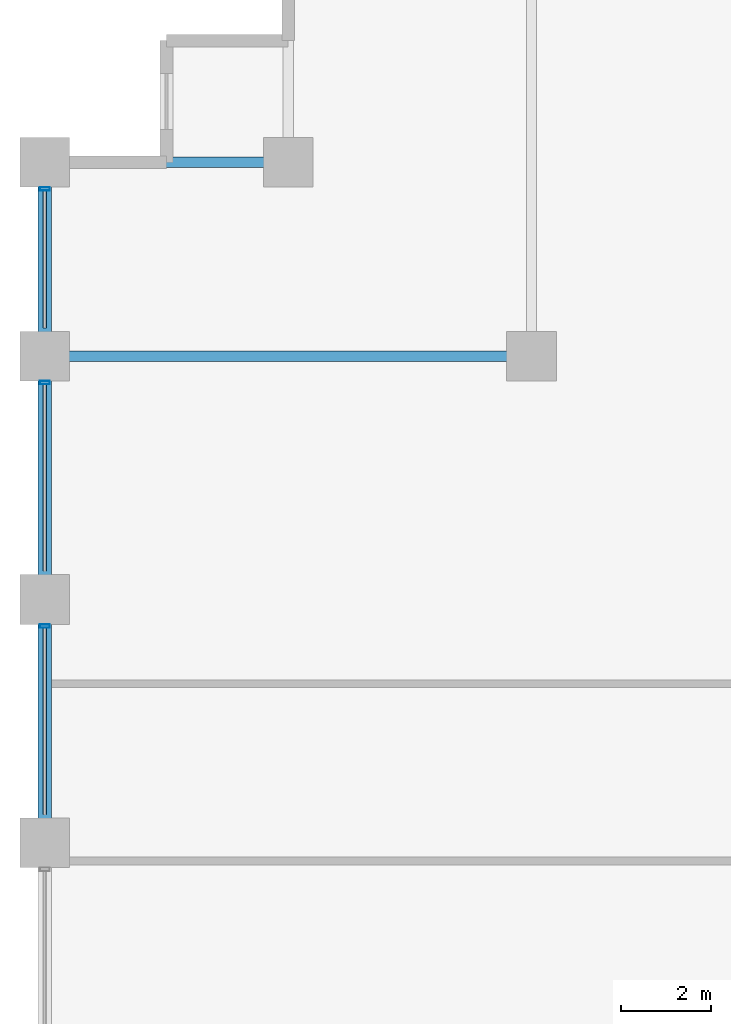
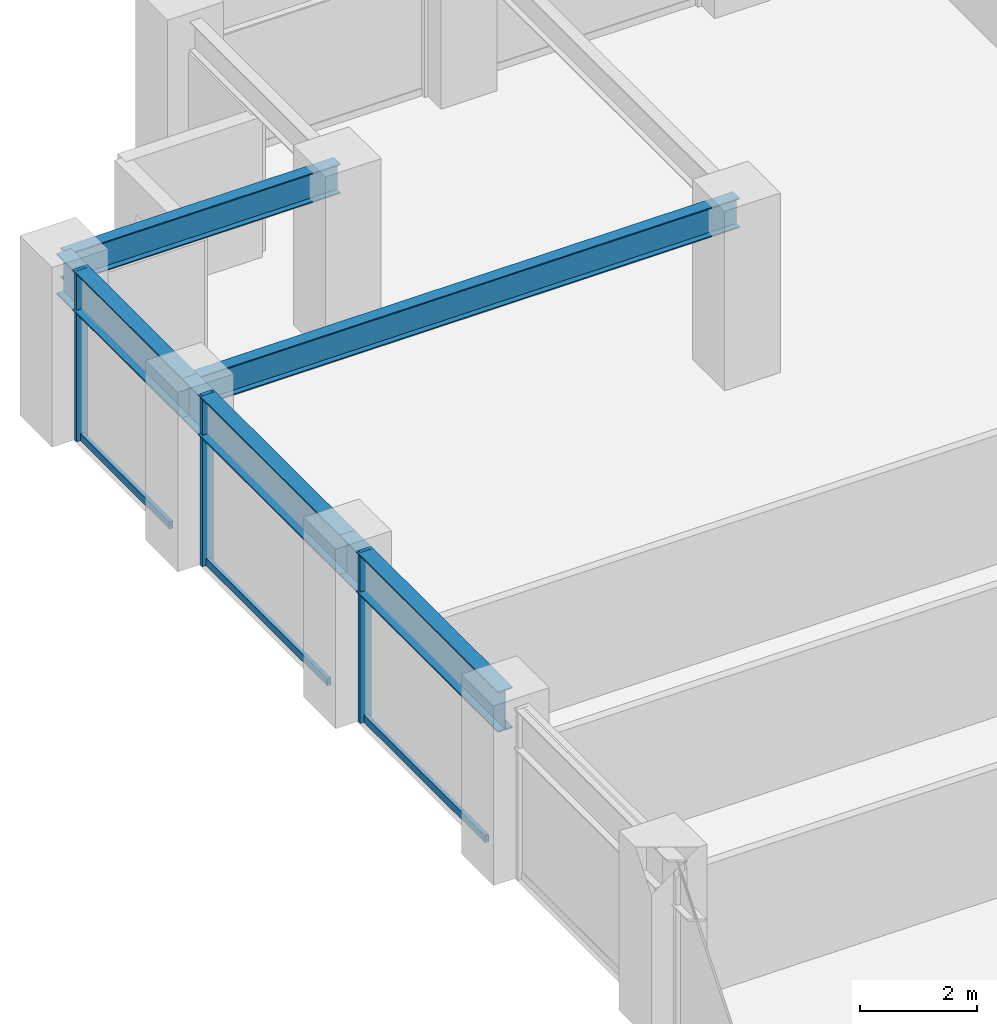
# One storey, part 10 of 25: 6 members, 5 beams, 1 element without a shape of its own.
"""IFC4 building model written with IfcOpenShell, lengths in metres."""

import ifcopenshell
import ifcopenshell.guid

model = None  # the IFC model being written
_history = None  # IfcOwnerHistory: only IFC2X3 demands one
_inside = {}  # id of a spatial element -> (the spatial element, [elements in it])
_under = {}  # id of a project, library or spatial element -> (it, [spatial elements below it])
_declared = {}  # id of a project -> (the project, [libraries it declares])
_typed = {}  # id of a type object -> (the type object, [elements of that type])
_made_of = {}  # id of a material, layer set ... -> (it, [elements and type objects made of it])


def new_model(schema):
    """Start an empty IFC model of exactly this schema.

    Asked for "IFC4X3", IfcOpenShell would pick the latest addendum, in which some entities
    have other attributes; the version numbers below select the first issue.
    IFC2X3 requires an IfcOwnerHistory on every rooted entity: one is made here for all.
    """
    global model, _history
    if schema == "IFC4X3":
        model = ifcopenshell.file(schema_version=(4, 3, 0, 0))
    else:
        model = ifcopenshell.file(schema=schema)
    _inside.clear()
    _under.clear()
    _declared.clear()
    _typed.clear()
    _made_of.clear()
    _history = None
    if model.schema == "IFC2X3":
        org = make("IfcOrganization", Name="unknown")
        user = make(
            "IfcPersonAndOrganization",
            ThePerson=make("IfcPerson", FamilyName="unknown"),
            TheOrganization=org,
        )
        app = make(
            "IfcApplication",
            ApplicationDeveloper=org,
            Version="unknown",
            ApplicationFullName="unknown",
            ApplicationIdentifier="unknown",
        )
        _history = make(
            "IfcOwnerHistory",
            OwningUser=user,
            OwningApplication=app,
            ChangeAction="ADDED",
            CreationDate=0,
        )
    return model


def make(cls, **values):
    """One entity of the class cls with the attributes given. An attribute that is None is left unset."""
    return model.create_entity(
        cls, **{name: value for name, value in values.items() if value is not None}
    )


def rooted(cls, **values):
    """An entity with a GlobalId (a new one), such as an element, a storey or a relation."""
    return make(cls, GlobalId=ifcopenshell.guid.new(), OwnerHistory=_history, **values)


def si_unit(unit_type, name, prefix=None):
    """IfcSIUnit, for example si_unit("LENGTHUNIT", "METRE", prefix="MILLI")."""
    return make("IfcSIUnit", UnitType=unit_type, Prefix=prefix, Name=name)


def assignment(units):
    """IfcUnitAssignment: the units of a project."""
    return None if units is None else make("IfcUnitAssignment", Units=units)


def point(xyz):
    """IfcCartesianPoint."""
    return None if xyz is None else make("IfcCartesianPoint", Coordinates=xyz)


def direction(xyz):
    """IfcDirection."""
    return None if xyz is None else make("IfcDirection", DirectionRatios=xyz)


def frame(location, z_axis=None, x_axis=None):
    """IfcAxis2Placement3D, a coordinate frame: its origin and axes. An axis left out is left unset."""
    return make(
        "IfcAxis2Placement3D",
        Location=point(location),
        Axis=direction(z_axis),
        RefDirection=direction(x_axis),
    )


def frame_2d(location, x_axis=None):
    """IfcAxis2Placement2D, a coordinate frame in the plane: its origin and x axis."""
    return make(
        "IfcAxis2Placement2D", Location=point(location), RefDirection=direction(x_axis)
    )


def origin():
    """The frame at (0, 0, 0) with its axes left unset."""
    return frame((0.0, 0.0, 0.0))


def origin_2d():
    """The frame at (0, 0) in the plane with its x axis left unset."""
    return frame_2d((0.0, 0.0))


def place(relative_to, where):
    """IfcLocalPlacement: puts the frame where relative to a parent placement (None: the world)."""
    return make(
        "IfcLocalPlacement", PlacementRelTo=relative_to, RelativePlacement=where
    )


def context(
    kind, dimensions, precision=None, world=None, true_north=None, identifier=None
):
    """IfcGeometricRepresentationContext, for example the 3D "Model" context."""
    return make(
        "IfcGeometricRepresentationContext",
        ContextIdentifier=identifier,
        ContextType=kind,
        CoordinateSpaceDimension=dimensions,
        Precision=precision,
        WorldCoordinateSystem=world,
        TrueNorth=true_north,
    )


def subcontext(parent, identifier, kind, view, scale=None):
    """IfcGeometricRepresentationSubContext, for example "Body" below "Model"."""
    return make(
        "IfcGeometricRepresentationSubContext",
        ContextIdentifier=identifier,
        ContextType=kind,
        ParentContext=parent,
        TargetScale=scale,
        TargetView=view,
    )


def project(units=None, contexts=None):
    """IfcProject with its units and contexts."""
    return rooted(
        "IfcProject",
        Name="project",
        RepresentationContexts=contexts,
        UnitsInContext=assignment(units),
    )


def spatial(cls, under=None, at=None, **own):
    """A site, building, storey or space (cls), placed at a placement, below another one or the project."""
    s = rooted(cls, ObjectPlacement=at, **own)
    if under is not None:
        _under.setdefault(under.id(), (under, []))[1].append(s)
    return s


def profile(cls, at=None, kind="AREA", **sizes):
    """A parametric profile (cls). Its sizes go by their IFC names, for example OverallWidth=200.0."""
    return make(cls, ProfileType=kind, Position=at, **sizes)


def hollow_rectangle(**sizes):
    """IfcRectangleHollowProfileDef."""
    return profile("IfcRectangleHollowProfileDef", **sizes)


def i_section(**sizes):
    """IfcIShapeProfileDef."""
    return profile("IfcIShapeProfileDef", **sizes)


def extrude(swept, where, along, depth):
    """IfcExtrudedAreaSolid: the profile swept, set in the frame where, extruded along a direction by depth."""
    return make(
        "IfcExtrudedAreaSolid",
        SweptArea=swept,
        Position=where,
        ExtrudedDirection=direction(along),
        Depth=depth,
    )


def shape(context_of_items, identifier, shape_type, items):
    """IfcShapeRepresentation: the items that make up one representation, for example the "Body"."""
    return make(
        "IfcShapeRepresentation",
        ContextOfItems=context_of_items,
        RepresentationIdentifier=identifier,
        RepresentationType=shape_type,
        Items=items,
    )


def material(Name=None, Category=None):
    """IfcMaterial."""
    return make("IfcMaterial", Name=Name, Category=Category)


def layer(
    of_material, thickness, ventilated=None, Name=None, Category=None, Priority=None
):
    """IfcMaterialLayer: one layer of a wall or slab, of a material (None: an air gap)."""
    return make(
        "IfcMaterialLayer",
        Material=of_material,
        LayerThickness=thickness,
        IsVentilated=ventilated,
        Name=Name,
        Category=Category,
        Priority=Priority,
    )


def layer_set(layers, Name=None):
    """IfcMaterialLayerSet."""
    return make("IfcMaterialLayerSet", MaterialLayers=layers, LayerSetName=Name)


def material_profile(
    of_material, cross_section, Name=None, Category=None, Priority=None
):
    """IfcMaterialProfile: a cross section and its material."""
    return make(
        "IfcMaterialProfile",
        Name=Name,
        Material=of_material,
        Profile=cross_section,
        Priority=Priority,
        Category=Category,
    )


def profile_set(profiles, Name=None, composite=None):
    """IfcMaterialProfileSet."""
    return make(
        "IfcMaterialProfileSet",
        Name=Name,
        MaterialProfiles=profiles,
        CompositeProfile=composite,
    )


def made_of(thing, what):
    """Note that an element or type object is made of a material, layer set ...; save() writes the relation."""
    if what is not None:
        _made_of.setdefault(what.id(), (what, []))[1].append(thing)
    return thing


def type_object(cls, material=None, **own):
    """A type object (cls), such as IfcWallType, which elements share."""
    return made_of(rooted(cls, **own), material)


def element(
    cls,
    number,
    at=None,
    inside=None,
    cuts=None,
    type_object=None,
    material=None,
    context=None,
    identifier="Body",
    shape_type=None,
    held_by="IfcProductDefinitionShape",
    body=None,
    shapes=None,
    **own,
):
    """One element of the class cls, such as IfcWall. Its Tag is "e" and its number.

    at: its placement. inside: the storey or other place that contains it. cuts: it is an
    opening in that element (IfcRelVoidsElement). A single representation is given by context,
    identifier, shape_type and body (its items); several are given by shapes. held_by: the class
    of the entity that holds the representations. save() writes the other relations.
    """
    e = rooted(cls, Tag="e%d" % number, ObjectPlacement=at, **own)
    if body is not None:
        shapes = [shape(context, identifier, shape_type, body)]
    if shapes is not None:
        e.Representation = make(held_by, Representations=shapes)
    if inside is not None:
        _inside.setdefault(inside.id(), (inside, []))[1].append(e)
    if cuts is not None:
        rooted(
            "IfcRelVoidsElement", RelatingBuildingElement=cuts, RelatedOpeningElement=e
        )
    if type_object is not None:
        _typed.setdefault(type_object.id(), (type_object, []))[1].append(e)
    return made_of(e, material)


def aggregate(whole, parts):
    """IfcRelAggregates: a whole, such as a stair, and the parts it consists of."""
    return rooted("IfcRelAggregates", RelatingObject=whole, RelatedObjects=parts)


def save(model, path):
    """Write the relations noted so far, then the file.

    IfcRelAggregates (storeys below a building ...), IfcRelContainedInSpatialStructure (elements
    in a storey), IfcRelDefinesByType, IfcRelAssociatesMaterial and IfcRelDeclares: one each for
    every whole, place, type object, material and project.
    """
    for whole, parts in _under.values():
        aggregate(whole, parts)
    for where, things in _inside.values():
        rooted(
            "IfcRelContainedInSpatialStructure",
            RelatedElements=things,
            RelatingStructure=where,
        )
    for kind, things in _typed.values():
        rooted("IfcRelDefinesByType", RelatedObjects=things, RelatingType=kind)
    for what, things in _made_of.values():
        rooted("IfcRelAssociatesMaterial", RelatedObjects=things, RelatingMaterial=what)
    for by, libraries in _declared.values():
        rooted("IfcRelDeclares", RelatingContext=by, RelatedDefinitions=libraries)
    model.write(path)


model = new_model("IFC4")

# Units and contexts
model_context = context("Model", 3, precision=1e-05, world=origin(), true_north=direction((0.0, 1.0)))
body_context = subcontext(model_context, "Body", "Model", "MODEL_VIEW")
ifc_project = project(units=[si_unit("LENGTHUNIT", "METRE"), si_unit("AREAUNIT", "SQUARE_METRE"), si_unit("VOLUMEUNIT", "CUBIC_METRE"), si_unit("PLANEANGLEUNIT", "RADIAN"), si_unit("MASSUNIT", "GRAM", prefix="KILO")], contexts=[model_context])

# Site, building, storey
site_placement = place(None, origin())
site = spatial("IfcSite", under=ifc_project, at=site_placement, CompositionType="ELEMENT")
building_placement = place(site_placement, origin())
building = spatial("IfcBuilding", under=site, at=building_placement, Name="Surkhivell Harbour Commons", CompositionType="ELEMENT")
storey_placement = place(building_placement, frame((0.0, 0.0, 113.25)))
storey = spatial("IfcBuildingStorey", under=building, at=storey_placement, Name="L29", CompositionType="ELEMENT", Elevation=113.25)

# Beams
ifc_material_1 = material(Name="Steel S355", Category="steel")
ifc_material_profile_1 = material_profile(ifc_material_1, i_section(OverallWidth=0.22998046875, OverallDepth=0.616943359375, WebThickness=0.01318359375, FlangeThickness=0.022216796875, at=origin_2d()), Name="UB610x229x140")
ifc_profile_set_1 = profile_set([ifc_material_profile_1], Name="Steel S355")
beam_type_1 = type_object("IfcBeamType", Name="BM-GRD-610B", PredefinedType="BEAM", material=ifc_profile_set_1)
beam_1_placement = place(storey_placement, frame((-32.39990234375, 16.199951171875, 3.261474609375), z_axis=(1.0, 0.0, 0.0), x_axis=(0.0, 1.0, 0.0)))
element("IfcBeam", 1, at=beam_1_placement, inside=storey, type_object=beam_type_1, Name="L29 Floor Girder (-32.4,16.2)", PredefinedType="BEAM", context=body_context, shape_type="SweptSolid", body=[
    extrude(i_section(OverallWidth=0.22998046875, OverallDepth=0.616943359375, WebThickness=0.01318359375, FlangeThickness=0.022216796875, at=origin_2d()), origin(), (0.0, 0.0, 1.0), 10.7998046875),
])
beam_2_placement = place(storey_placement, frame((-32.39990234375, 20.5, 3.261474609375), z_axis=(1.0, 0.0, 0.0), x_axis=(0.0, 1.0, 0.0)))
element("IfcBeam", 2, at=beam_2_placement, inside=storey, type_object=beam_type_1, Name="L29 Floor Girder (-32.4,20.5)", PredefinedType="BEAM", context=body_context, shape_type="SweptSolid", body=[
    extrude(i_section(OverallWidth=0.22998046875, OverallDepth=0.616943359375, WebThickness=0.01318359375, FlangeThickness=0.022216796875, at=origin_2d()), origin(), (0.0, 0.0, 1.0), 5.39990234375),
])
ifc_material_2 = material(Name="Steel S460", Category="steel")
ifc_material_profile_2 = material_profile(ifc_material_2, i_section(OverallWidth=0.2939453125, OverallDepth=0.85107421875, WebThickness=0.01611328125, FlangeThickness=0.02685546875, at=origin_2d()), Name="UB838x292x226")
ifc_profile_set_2 = profile_set([ifc_material_profile_2], Name="Steel S460")
beam_type_2 = type_object("IfcBeamType", Name="BM-SPN-838", PredefinedType="SPANDREL", material=ifc_profile_set_2)
beam_3_placement = place(storey_placement, frame((-32.39990234375, 5.39990234375, 3.14453125), z_axis=(0.0, 1.0, 0.0), x_axis=(-1.0, 0.0, 0.0)))
element("IfcBeam", 3, at=beam_3_placement, inside=storey, type_object=beam_type_2, Name="L29 Tube Spandrel (-32.4,5.4)", PredefinedType="SPANDREL", context=body_context, shape_type="SweptSolid", body=[
    extrude(i_section(OverallWidth=0.2939453125, OverallDepth=0.85107421875, WebThickness=0.01611328125, FlangeThickness=0.02685546875, at=origin_2d()), origin(), (0.0, 0.0, 1.0), 5.400146484375),
])
beam_4_placement = place(storey_placement, frame((-32.39990234375, 10.800048828125, 3.14453125), z_axis=(0.0, 1.0, 0.0), x_axis=(-1.0, 0.0, 0.0)))
element("IfcBeam", 4, at=beam_4_placement, inside=storey, type_object=beam_type_2, Name="L29 Tube Spandrel (-32.4,10.8)", PredefinedType="SPANDREL", context=body_context, shape_type="SweptSolid", body=[
    extrude(i_section(OverallWidth=0.2939453125, OverallDepth=0.85107421875, WebThickness=0.01611328125, FlangeThickness=0.02685546875, at=origin_2d()), origin(), (0.0, 0.0, 1.0), 5.39990234375),
])
beam_5_placement = place(storey_placement, frame((-32.39990234375, 16.199951171875, 3.14453125), z_axis=(0.0, 1.0, 0.0), x_axis=(-1.0, 0.0, 0.0)))
element("IfcBeam", 5, at=beam_5_placement, inside=storey, type_object=beam_type_2, Name="L29 Tube Spandrel (-32.4,16.2)", PredefinedType="SPANDREL", context=body_context, shape_type="SweptSolid", body=[
    extrude(i_section(OverallWidth=0.2939453125, OverallDepth=0.85107421875, WebThickness=0.01611328125, FlangeThickness=0.02685546875, at=origin_2d()), origin(), (0.0, 0.0, 1.0), 4.300048828125),
])

# Curtain wall, members
ifc_material_3 = material(Name="Anodised pale-metal aluminium and insulated glazing", Category="aluminium")
ifc_layer = layer(ifc_material_3, 0.205078125)
ifc_layer_set = layer_set([ifc_layer], Name="Anodised pale-metal aluminium and insulated glazing")
curtain_wall_type = type_object("IfcCurtainWallType", Name="CW-SYS-Z2", PredefinedType="NOTDEFINED", material=ifc_layer_set)
curtain_wall_placement = place(storey_placement, origin())
curtain_wall = element("IfcCurtainWall", 6, at=curtain_wall_placement, inside=storey, type_object=curtain_wall_type, Name="L29 Curtain Wall CW-L29-E12S1", PredefinedType="NOTDEFINED")
ifc_material_4 = material(Name="Anodised pale-metal aluminium alloy 6063-T6", Category="aluminium")
ifc_material_profile_3 = material_profile(ifc_material_4, hollow_rectangle(XDim=0.074951171875, YDim=0.219970703125, WallThickness=0.00390625, at=origin_2d()), Name="ALU-MULL-75x220")
ifc_profile_set_3 = profile_set([ifc_material_profile_3], Name="Anodised pale-metal aluminium alloy 6063-T6")
member_type_1 = type_object("IfcMemberType", Name="CWM-220", PredefinedType="MULLION", material=ifc_profile_set_3)
member_1_placement = place(storey_placement, frame((-32.39990234375, 19.910400390625, 0.0), z_axis=(0.0, 0.0, 1.0), x_axis=(0.0, -1.0, 0.0)))
member_1 = element("IfcMember", 7, at=member_1_placement, type_object=member_type_1, Name="CW-Z2 mullion 1", PredefinedType="MULLION", context=body_context, shape_type="SweptSolid", body=[
    extrude(hollow_rectangle(XDim=0.074951171875, YDim=0.219970703125, WallThickness=0.00390625, at=origin_2d()), origin(), (0.0, 0.0, 1.0), 3.570068359375),
])
member_2_placement = place(storey_placement, frame((-32.39990234375, 15.610595703125, 0.0), z_axis=(0.0, 0.0, 1.0), x_axis=(0.0, -1.0, 0.0)))
member_2 = element("IfcMember", 8, at=member_2_placement, type_object=member_type_1, Name="CW-Z2 mullion 2", PredefinedType="MULLION", context=body_context, shape_type="SweptSolid", body=[
    extrude(hollow_rectangle(XDim=0.074951171875, YDim=0.219970703125, WallThickness=0.00390625, at=origin_2d()), origin(), (0.0, 0.0, 1.0), 3.570068359375),
])
member_3_placement = place(storey_placement, frame((-32.39990234375, 10.21044921875, 0.0), z_axis=(0.0, 0.0, 1.0), x_axis=(0.0, -1.0, 0.0)))
member_3 = element("IfcMember", 9, at=member_3_placement, type_object=member_type_1, Name="CW-Z2 mullion 3", PredefinedType="MULLION", context=body_context, shape_type="SweptSolid", body=[
    extrude(hollow_rectangle(XDim=0.074951171875, YDim=0.219970703125, WallThickness=0.00390625, at=origin_2d()), origin(), (0.0, 0.0, 1.0), 3.570068359375),
])
ifc_material_profile_4 = material_profile(ifc_material_4, hollow_rectangle(XDim=0.074951171875, YDim=0.14990234375, WallThickness=0.00341796875, at=origin_2d()), Name="ALU-TRAN-75x150")
ifc_profile_set_4 = profile_set([ifc_material_profile_4], Name="Anodised pale-metal aluminium alloy 6063-T6")
member_type_2 = type_object("IfcMemberType", Name="CWT-150", PredefinedType="USERDEFINED", material=ifc_profile_set_4)
member_4_placement = place(storey_placement, frame((-32.39990234375, 19.873046875, 0.074951171875), z_axis=(0.0, -1.0, 0.0), x_axis=(1.0, 0.0, 0.0)))
member_4 = element("IfcMember", 10, at=member_4_placement, type_object=member_type_2, Name="CW-Z2 transom 1.1", ObjectType="TRANSOM", PredefinedType="USERDEFINED", context=body_context, shape_type="SweptSolid", body=[
    extrude(hollow_rectangle(XDim=0.074951171875, YDim=0.14990234375, WallThickness=0.00341796875, at=origin_2d()), origin(), (0.0, 0.0, 1.0), 3.046142578125),
])
member_5_placement = place(storey_placement, frame((-32.39990234375, 15.572998046875, 0.074951171875), z_axis=(0.0, -1.0, 0.0), x_axis=(1.0, 0.0, 0.0)))
member_5 = element("IfcMember", 11, at=member_5_placement, type_object=member_type_2, Name="CW-Z2 transom 2.1", ObjectType="TRANSOM", PredefinedType="USERDEFINED", context=body_context, shape_type="SweptSolid", body=[
    extrude(hollow_rectangle(XDim=0.074951171875, YDim=0.14990234375, WallThickness=0.00341796875, at=origin_2d()), origin(), (0.0, 0.0, 1.0), 4.14599609375),
])
member_6_placement = place(storey_placement, frame((-32.39990234375, 10.173095703125, 0.074951171875), z_axis=(0.0, -1.0, 0.0), x_axis=(1.0, 0.0, 0.0)))
member_6 = element("IfcMember", 12, at=member_6_placement, type_object=member_type_2, Name="CW-Z2 transom 3.1", ObjectType="TRANSOM", PredefinedType="USERDEFINED", context=body_context, shape_type="SweptSolid", body=[
    extrude(hollow_rectangle(XDim=0.074951171875, YDim=0.14990234375, WallThickness=0.00341796875, at=origin_2d()), origin(), (0.0, 0.0, 1.0), 4.14599609375),
])
aggregate(curtain_wall, [member_1, member_4, member_2, member_5, member_3, member_6])

save(model, "model.ifc")
